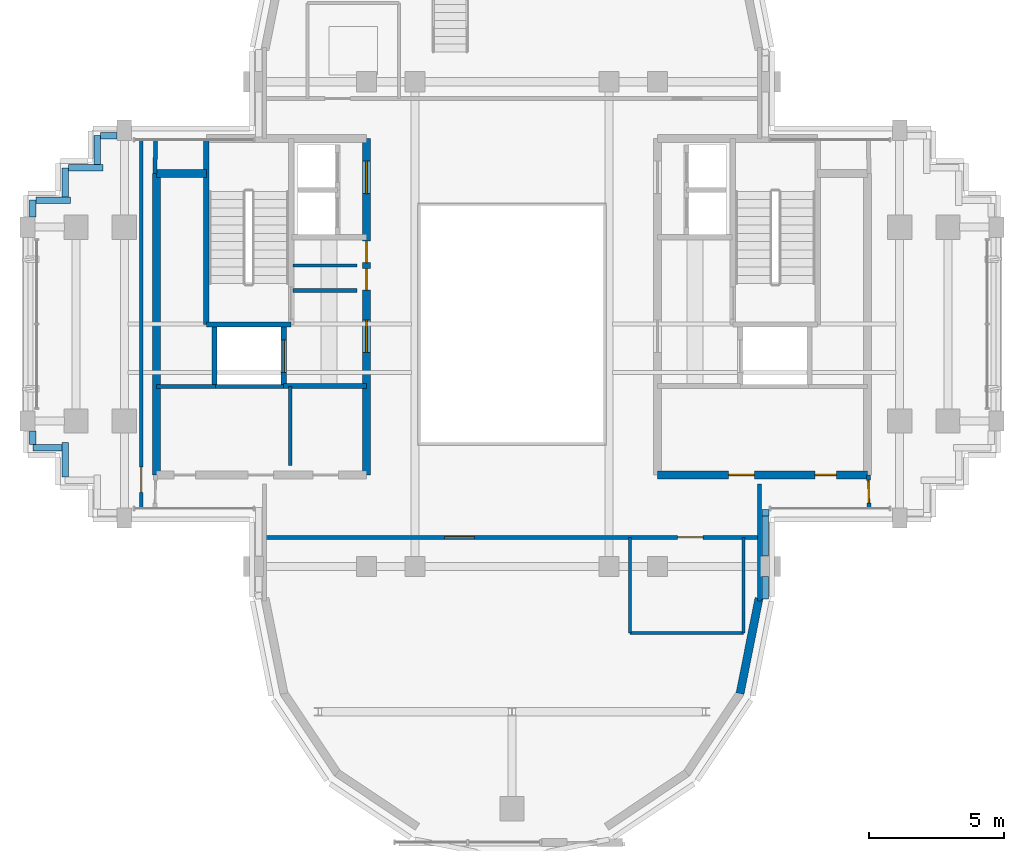
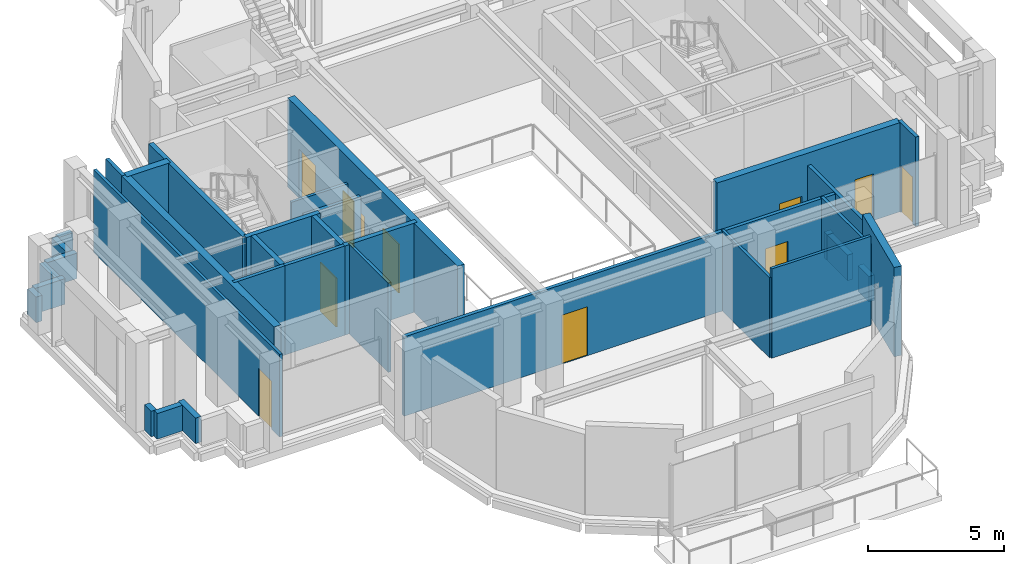
# One storey, part 8 of 14: 35 walls, 11 doors, 11 openings.
"""IFC4 building model written with IfcOpenShell, lengths in metres."""

from ifc_helpers import new_model, si_unit, direction, frame, frame_2d, origin, place, context, subcontext, project, spatial, rectangle, extrude, source, transform, mapped, material, layer, layer_set, type_object, element, fill, save


model = new_model("IFC4")

# Units and contexts
model_context = context("Model", 3, precision=1e-05, world=origin(), true_north=direction((0.0, 1.0)))
body_context = subcontext(model_context, "Body", "Model", "MODEL_VIEW")
ifc_project = project(units=[si_unit("LENGTHUNIT", "METRE"), si_unit("AREAUNIT", "SQUARE_METRE"), si_unit("VOLUMEUNIT", "CUBIC_METRE"), si_unit("PLANEANGLEUNIT", "RADIAN"), si_unit("MASSUNIT", "GRAM", prefix="KILO")], contexts=[model_context])

# Site, building, storey
site_placement = place(None, origin())
site = spatial("IfcSite", under=ifc_project, at=site_placement, CompositionType="ELEMENT")
building_placement = place(site_placement, origin())
building = spatial("IfcBuilding", under=site, at=building_placement, Name="Keilestroom Media Tower", CompositionType="ELEMENT")
storey_placement = place(building_placement, frame((0.0, 0.0, 219.39990234375)))
storey = spatial("IfcBuildingStorey", under=building, at=storey_placement, Name="L60", CompositionType="ELEMENT", Elevation=219.39990234375)

# Walls
ifc_material_1 = material(Name="Precast concrete C40/50", Category="concrete")
ifc_layer_1 = layer(ifc_material_1, 0.300048828125)
ifc_layer_set_1 = layer_set([ifc_layer_1], Name="Precast concrete C40/50")
wall_type_1 = type_object("IfcWallType", Name="Exterior-Masonry-Spandrel-Wall-300", PredefinedType="SOLIDWALL", material=ifc_layer_set_1)
wall_1_placement = place(storey_placement, frame((8.470703125, -13.724609375, 0.0), z_axis=(0.0, 0.0, 1.0), x_axis=(0.195114232679, 0.980780523974, 0.0)))
element("IfcWall", 1, at=wall_1_placement, inside=storey, type_object=wall_type_1, Name="L60 Lobe Facet Precast Frame Wall 12", PredefinedType="SOLIDWALL", context=body_context, shape_type="SweptSolid", body=[
    extrude(rectangle(XDim=3.608642578125, YDim=0.300048828125, at=frame_2d((1.80419921875, 0.0))), origin(), (0.0, 0.0, 1.0), 4.010009765625),
])
ifc_material_2 = material(Name="Gypsum Plasterboard & Steel Stud", Category="steel")
ifc_layer_2 = layer(ifc_material_2, 0.1201171875)
ifc_layer_set_2 = layer_set([ifc_layer_2], Name="Gypsum Plasterboard & Steel Stud")
wall_type_2 = type_object("IfcWallType", Name="Interior-Partition-Wall-120", PredefinedType="PARTITIONING", material=ifc_layer_set_2)
wall_2_placement = place(storey_placement, frame((-8.139892578125, 2.179931640625, 0.0), z_axis=(0.0, 0.0, 1.0), x_axis=(1.0, 0.0, 0.0)))
element("IfcWall", 2, at=wall_2_placement, inside=storey, type_object=wall_type_2, Name="L60 Interior Wall WP-L60-CNW-N", PredefinedType="PARTITIONING", context=body_context, shape_type="SweptSolid", body=[
    extrude(rectangle(XDim=2.389892578125, YDim=0.1201171875, at=frame_2d((1.19482421875, 0.0))), origin(), (0.0, 0.0, 1.0), 3.110107421875),
])
wall_3_placement = place(storey_placement, frame((-8.239990234375, -5.260009765625, 0.0), z_axis=(0.0, 0.0, 1.0), x_axis=(0.0, 1.0, 0.0)))
element("IfcWall", 3, at=wall_3_placement, inside=storey, type_object=wall_type_2, Name="L60 Interior Wall WP-L60-RECMW-M", PredefinedType="PARTITIONING", context=body_context, shape_type="SweptSolid", body=[
    extrude(rectangle(XDim=2.93994140625, YDim=0.1201171875, at=frame_2d((1.469970703125, 0.0))), origin(), (0.0, 0.0, 1.0), 4.010009765625),
])
wall_4_placement = place(storey_placement, frame((4.3798828125, -11.469970703125, 0.0), z_axis=(0.0, 0.0, 1.0), x_axis=(1.0, 0.0, 0.0)))
element("IfcWall", 4, at=wall_4_placement, inside=storey, type_object=wall_type_2, Name="L60 Interior Wall WP-L60-SL-WC-S", PredefinedType="PARTITIONING", context=body_context, shape_type="SweptSolid", body=[
    extrude(rectangle(XDim=4.22021484375, YDim=0.1201171875, at=frame_2d((2.110107421875, 0.0))), origin(), (0.0, 0.0, 1.0), 4.010009765625),
])
for number, where, z_axis, x_axis, name in (
    (5, (4.3798828125, -11.469970703125, 0.0), (0.0, 0.0, 1.0), (0.0, 1.0, 0.0), "L60 Interior Wall WP-L60-SL-WC-W"),
    (6, (8.60009765625, -11.469970703125, 0.0), (0.0, 0.0, 1.0), (0.0, 1.0, 0.0), "L60 Interior Wall WP-L60-SL-WC-E"),
):
    element("IfcWall", number, at=place(storey_placement, frame(where, z_axis=z_axis, x_axis=x_axis)), inside=storey, type_object=wall_type_2, Name=name, PredefinedType="PARTITIONING", context=body_context, shape_type="SweptSolid", body=[
        extrude(rectangle(XDim=3.550048828125, YDim=0.1201171875, at=frame_2d((1.77490234375, 0.0))), origin(), (0.0, 0.0, 1.0), 3.610107421875),
    ])

# Wall, opening, door
wall_5_placement = place(storey_placement, frame((-13.77001953125, -6.85009765625, 0.0), z_axis=(0.0, 0.0, 1.0), x_axis=(0.0, 1.0, 0.0)))
wall_5 = element("IfcWall", 7, at=wall_5_placement, inside=storey, type_object=wall_type_2, Name="L60 Interior Wall WP-L60-WA-CE", PredefinedType="PARTITIONING", context=body_context, shape_type="SweptSolid", body=[
    extrude(rectangle(XDim=13.7001953125, YDim=0.1201171875, at=frame_2d((6.85009765625, 0.0))), origin(), (0.0, 0.0, 1.0), 3.710205078125),
])
opening_1_placement = place(wall_5_placement, frame((0.60009765625, 0.0, 0.0)))
opening_1 = element("IfcOpeningElement", 8, at=opening_1_placement, cuts=wall_5, Name="Opening DI-03", PredefinedType="OPENING", context=body_context, shape_type="SweptSolid", body=[
    extrude(rectangle(XDim=0.949951171875, YDim=2.14990234375, at=frame_2d((0.47509765625, 1.074951171875))), frame((0.0, 0.070068359375, 0.0), z_axis=(0.0, -1.0, 0.0), x_axis=(1.0, 0.0, 0.0)), (0.0, 0.0, 1.0), 0.14013671875),
])
ifc_material_3 = material(Name="Lacquered European Oak Leaf", Category="wood")
door_type_1 = type_object("IfcDoorType", Name="Interior-Room-And-Suite-Door-DI-03", OperationType="NOTDEFINED", PredefinedType="DOOR", material=ifc_material_3)
shared_shape_1 = source(origin(), body_context, "Body", "SweptSolid", [
    extrude(rectangle(XDim=0.949951171875, YDim=2.14990234375, at=frame_2d((0.47509765625, 1.074951171875))), frame((0.0, 0.02490234375, 0.0), z_axis=(0.0, -1.0, 0.0), x_axis=(1.0, 0.0, 0.0)), (0.0, 0.0, 1.0), 0.050048828125),
])
door_1_placement = place(opening_1_placement, origin())
door_1 = element("IfcDoor", 9, at=door_1_placement, inside=storey, type_object=door_type_1, Name="L60 Interior Door DI-L60-DWA-END", OperationType="SINGLE_SWING_LEFT", OverallHeight=2.14990234375, OverallWidth=0.949951171875, PredefinedType="DOOR", context=body_context, shape_type="MappedRepresentation", body=[
    mapped(shared_shape_1, transform((0.0, 0.0, 0.0), x_axis=(1.0, 0.0, 0.0), y_axis=(0.0, 1.0, 0.0), z_axis=(0.0, 0.0, 1.0), scale=1.0)),
])
fill(opening_1, door_1)

# Walls
ifc_layer_3 = layer(ifc_material_2, 0.14990234375)
ifc_layer_set_3 = layer_set([ifc_layer_3], Name="Gypsum Plasterboard & Steel Stud")
wall_type_3 = type_object("IfcWallType", Name="Interior-Partition-Wall-150", PredefinedType="PARTITIONING", material=ifc_layer_set_3)
wall_6_placement = place(storey_placement, frame((-8.139892578125, 1.239990234375, 0.0), z_axis=(0.0, 0.0, 1.0), x_axis=(1.0, 0.0, 0.0)))
element("IfcWall", 10, at=wall_6_placement, inside=storey, type_object=wall_type_3, Name="L60 Interior Wall WP-L60-FFW-TOP", PredefinedType="PARTITIONING", context=body_context, shape_type="SweptSolid", body=[
    extrude(rectangle(XDim=2.389892578125, YDim=0.14990234375, at=frame_2d((1.19482421875, 0.0))), origin(), (0.0, 0.0, 1.0), 3.110107421875),
])
wall_7_placement = place(storey_placement, frame((-13.199951171875, -2.320068359375, 0.0), z_axis=(0.0, 0.0, 1.0), x_axis=(1.0, 0.0, 0.0)))
element("IfcWall", 11, at=wall_7_placement, inside=storey, type_object=wall_type_3, Name="L60 Interior Wall WP-L60-RECLW-N", PredefinedType="PARTITIONING", context=body_context, shape_type="SweptSolid", body=[
    extrude(rectangle(XDim=2.179931640625, YDim=0.14990234375, at=frame_2d((1.08984375, 0.0))), origin(), (0.0, 0.0, 1.0), 4.010009765625),
])
wall_8_placement = place(storey_placement, frame((-11.0400390625, -2.320068359375, 0.0), z_axis=(0.0, 0.0, 1.0), x_axis=(1.0, 0.0, 0.0)))
element("IfcWall", 12, at=wall_8_placement, inside=storey, type_object=wall_type_3, Name="L60 Interior Wall WP-L60-RECMW-N", PredefinedType="PARTITIONING", context=body_context, shape_type="SweptSolid", body=[
    extrude(rectangle(XDim=2.56005859375, YDim=0.14990234375, at=frame_2d((1.280029296875, 0.0))), origin(), (0.0, 0.0, 1.0), 4.010009765625),
])

# Wall, openings, doors
wall_9_placement = place(storey_placement, frame((-9.199951171875, -7.919921875, 0.0), z_axis=(0.0, 0.0, 1.0), x_axis=(1.0, 0.0, 0.0)))
wall_9 = element("IfcWall", 13, at=wall_9_placement, inside=storey, type_object=wall_type_3, Name="L60 Interior Wall WP-L60-SL-BASE", PredefinedType="PARTITIONING", context=body_context, shape_type="SweptSolid", body=[
    extrude(rectangle(XDim=18.39990234375, YDim=0.14990234375, at=frame_2d((9.199951171875, 0.0))), origin(), (0.0, 0.0, 1.0), 3.570068359375),
])
opening_2_placement = place(wall_9_placement, frame((15.35009765625, 0.0, 0.0)))
opening_2 = element("IfcOpeningElement", 14, at=opening_2_placement, cuts=wall_9, Name="Opening DI-03", PredefinedType="OPENING", context=body_context, shape_type="SweptSolid", body=[
    extrude(rectangle(XDim=0.949951171875, YDim=2.14990234375, at=frame_2d((0.47509765625, 1.074951171875))), frame((0.0, 0.0849609375, 0.0), z_axis=(0.0, -1.0, 0.0), x_axis=(1.0, 0.0, 0.0)), (0.0, 0.0, 1.0), 0.169921875),
])
opening_3_placement = place(wall_9_placement, frame((6.699951171875, 0.0, 0.0)))
opening_3 = element("IfcOpeningElement", 15, at=opening_3_placement, cuts=wall_9, Name="Opening DI-04", PredefinedType="OPENING", context=body_context, shape_type="SweptSolid", body=[
    extrude(rectangle(XDim=1.10009765625, YDim=2.199951171875, at=frame_2d((0.550048828125, 1.10009765625))), frame((0.0, 0.0849609375, 0.0), z_axis=(0.0, -1.0, 0.0), x_axis=(1.0, 0.0, 0.0)), (0.0, 0.0, 1.0), 0.169921875),
])
door_2_placement = place(opening_2_placement, origin())
door_2 = element("IfcDoor", 16, at=door_2_placement, inside=storey, type_object=door_type_1, Name="L60 Interior Door DI-L60-DSL-WC", OperationType="SINGLE_SWING_RIGHT", OverallHeight=2.14990234375, OverallWidth=0.949951171875, PredefinedType="DOOR", context=body_context, shape_type="MappedRepresentation", body=[
    mapped(shared_shape_1, transform((0.0, 0.0, 0.0), x_axis=(1.0, 0.0, 0.0), y_axis=(0.0, 1.0, 0.0), z_axis=(0.0, 0.0, 1.0), scale=1.0)),
])
fill(opening_2, door_2)
ifc_material_4 = material(Name="Acoustic Glazed Aluminium Leaf", Category="aluminium")
door_type_2 = type_object("IfcDoorType", Name="Interior-Room-And-Suite-Door-DI-04", OperationType="NOTDEFINED", PredefinedType="DOOR", material=ifc_material_4)
shared_shape_2 = source(origin(), body_context, "Body", "SweptSolid", [
    extrude(rectangle(XDim=1.10009765625, YDim=2.199951171875, at=frame_2d((0.550048828125, 1.10009765625))), frame((0.0, 0.02490234375, 0.0), z_axis=(0.0, -1.0, 0.0), x_axis=(1.0, 0.0, 0.0)), (0.0, 0.0, 1.0), 0.050048828125),
])
door_3_placement = place(opening_3_placement, origin())
door_3 = element("IfcDoor", 17, at=door_3_placement, inside=storey, type_object=door_type_2, Name="L60 Interior Door DI-L60-DSL-MAIN", OperationType="SINGLE_SWING_LEFT", OverallHeight=2.199951171875, OverallWidth=1.10009765625, PredefinedType="DOOR", context=body_context, shape_type="MappedRepresentation", body=[
    mapped(shared_shape_2, transform((0.0, 0.0, 0.0), x_axis=(1.0, 0.0, 0.0), y_axis=(0.0, 1.0, 0.0), z_axis=(0.0, 0.0, 1.0), scale=1.0)),
])
fill(opening_3, door_3)

# Walls
wall_10_placement = place(storey_placement, frame((9.199951171875, -10.280029296875, 0.0), z_axis=(0.0, 0.0, 1.0), x_axis=(0.0, 1.0, 0.0)))
element("IfcWall", 18, at=wall_10_placement, inside=storey, type_object=wall_type_3, Name="L60 Interior Wall WP-L60-SL-CHKE", PredefinedType="PARTITIONING", context=body_context, shape_type="SweptSolid", body=[
    extrude(rectangle(XDim=4.340087890625, YDim=0.14990234375, at=frame_2d((2.169921875, 0.0))), origin(), (0.0, 0.0, 1.0), 3.610107421875),
])
wall_11_placement = place(storey_placement, frame((-13.260009765625, 5.60009765625, 0.0), z_axis=(0.0, 0.0, 1.0), x_axis=(0.016013571389, 0.999871774545, 0.0)))
element("IfcWall", 19, at=wall_11_placement, inside=storey, type_object=wall_type_3, Name="L60 Interior Wall WP-L60-WA-ENTN", PredefinedType="PARTITIONING", context=body_context, shape_type="SweptSolid", body=[
    extrude(rectangle(XDim=1.250244140625, YDim=0.14990234375, at=frame_2d((0.625, 0.0))), origin(), (0.0, 0.0, 1.0), 4.010009765625),
])

# Wall, opening, door
wall_12_placement = place(storey_placement, frame((13.260009765625, -6.85009765625, 0.0), z_axis=(0.0, 0.0, 1.0), x_axis=(-0.016013571389, 0.999871774545, 0.0)))
wall_12 = element("IfcWall", 20, at=wall_12_placement, inside=storey, type_object=wall_type_3, Name="L60 Interior Wall WP-L60-EA-ENTS", PredefinedType="PARTITIONING", context=body_context, shape_type="SweptSolid", body=[
    extrude(rectangle(XDim=1.250244140625, YDim=0.14990234375, at=frame_2d((0.625, 0.0))), origin(), (0.0, 0.0, 1.0), 4.010009765625),
])
opening_4_placement = place(wall_12_placement, frame((0.199951171875, 0.0, 0.0)))
opening_4 = element("IfcOpeningElement", 21, at=opening_4_placement, cuts=wall_12, Name="Opening DI-05", PredefinedType="OPENING", context=body_context, shape_type="SweptSolid", body=[
    extrude(rectangle(XDim=0.85009765625, YDim=2.10009765625, at=frame_2d((0.425048828125, 1.050048828125))), frame((0.0, 0.0849609375, 0.0), z_axis=(0.0, -1.0, 0.0), x_axis=(1.0, 0.0, 0.0)), (0.0, 0.0, 1.0), 0.169921875),
])
ifc_material_5 = material(Name="Moisture-Resistant Oak Leaf", Category="wood")
door_type_3 = type_object("IfcDoorType", Name="Interior-En-Suite-And-Cupboard-Door-DI-05", OperationType="NOTDEFINED", PredefinedType="DOOR", material=ifc_material_5)
shared_shape_3 = source(origin(), body_context, "Body", "SweptSolid", [
    extrude(rectangle(XDim=0.85009765625, YDim=2.10009765625, at=frame_2d((0.425048828125, 1.050048828125))), frame((0.0, 0.02490234375, 0.0), z_axis=(0.0, -1.0, 0.0), x_axis=(1.0, 0.0, 0.0)), (0.0, 0.0, 1.0), 0.050048828125),
])
door_4_placement = place(opening_4_placement, origin())
door_4 = element("IfcDoor", 22, at=door_4_placement, inside=storey, type_object=door_type_3, Name="L60 Interior Door DI-L60-DEA-S", OperationType="SINGLE_SWING_LEFT", OverallHeight=2.10009765625, OverallWidth=0.85009765625, PredefinedType="DOOR", context=body_context, shape_type="MappedRepresentation", body=[
    mapped(shared_shape_3, transform((0.0, 0.0, 0.0), x_axis=(1.0, 0.0, 0.0), y_axis=(0.0, 1.0, 0.0), z_axis=(0.0, 0.0, 1.0), scale=1.0)),
])
fill(opening_4, door_4)

# Wall
ifc_material_6 = material(Name="Concrete C50/60", Category="concrete")
ifc_layer_4 = layer(ifc_material_6, 0.300048828125)
ifc_layer_set_4 = layer_set([ifc_layer_4], Name="Concrete C50/60")
wall_type_4 = type_object("IfcWallType", Name="Reinforced-Concrete-Core-Shear-Wall-300", PredefinedType="SHEAR", material=ifc_layer_set_4)
wall_13_placement = place(storey_placement, frame((-13.199951171875, -5.60009765625, 0.0), z_axis=(0.0, 0.0, 1.0), x_axis=(0.0, 1.0, 0.0)))
element("IfcWall", 23, at=wall_13_placement, inside=storey, type_object=wall_type_4, Name="L60 Core Shear Wall WL-L60-CORE-W-OUT", PredefinedType="SHEAR", context=body_context, shape_type="SweptSolid", body=[
    extrude(rectangle(XDim=11.2001953125, YDim=0.300048828125, at=frame_2d((5.60009765625, 0.0))), origin(), (0.0, 0.0, 1.0), 4.010009765625),
])

# Wall, openings, doors
wall_14_placement = place(storey_placement, frame((-5.39990234375, -5.60009765625, 0.0), z_axis=(0.0, 0.0, 1.0), x_axis=(0.0, 1.0, 0.0)))
wall_14 = element("IfcWall", 24, at=wall_14_placement, inside=storey, type_object=wall_type_4, Name="L60 Core Shear Wall WL-L60-CORE-W-IN", PredefinedType="SHEAR", context=body_context, shape_type="SweptSolid", body=[
    extrude(rectangle(XDim=12.5, YDim=0.300048828125, at=frame_2d((6.25, 0.0))), origin(), (0.0, 0.0, 1.0), 4.010009765625),
])
opening_5_placement = place(wall_14_placement, frame((4.550048828125, 0.0, 0.0)))
opening_5 = element("IfcOpeningElement", 25, at=opening_5_placement, cuts=wall_14, Name="Opening DI-02", PredefinedType="OPENING", context=body_context, shape_type="SweptSolid", body=[
    extrude(rectangle(XDim=1.199951171875, YDim=2.199951171875, at=frame_2d((0.60009765625, 1.10009765625))), frame((0.0, 0.16015625, 0.0), z_axis=(0.0, -1.0, 0.0), x_axis=(1.0, 0.0, 0.0)), (0.0, 0.0, 1.0), 0.320068359375),
])
opening_6_placement = place(wall_14_placement, frame((10.449951171875, 0.0, 0.0)))
opening_6 = element("IfcOpeningElement", 26, at=opening_6_placement, cuts=wall_14, Name="Opening DI-02", PredefinedType="OPENING", context=body_context, shape_type="SweptSolid", body=[
    extrude(rectangle(XDim=1.199951171875, YDim=2.199951171875, at=frame_2d((0.60009765625, 1.10009765625))), frame((0.0, 0.16015625, 0.0), z_axis=(0.0, -1.0, 0.0), x_axis=(1.0, 0.0, 0.0)), (0.0, 0.0, 1.0), 0.320068359375),
])
opening_7_placement = place(wall_14_placement, frame((6.860107421875, 0.0, 0.0)))
opening_7 = element("IfcOpeningElement", 27, at=opening_7_placement, cuts=wall_14, Name="Opening DI-06", PredefinedType="OPENING", context=body_context, shape_type="SweptSolid", body=[
    extrude(rectangle(XDim=0.800048828125, YDim=2.10009765625, at=frame_2d((0.39990234375, 1.050048828125))), frame((0.0, 0.16015625, 0.0), z_axis=(0.0, -1.0, 0.0), x_axis=(1.0, 0.0, 0.0)), (0.0, 0.0, 1.0), 0.320068359375),
])
opening_8_placement = place(wall_14_placement, frame((7.8798828125, 0.0, 0.0)))
opening_8 = element("IfcOpeningElement", 28, at=opening_8_placement, cuts=wall_14, Name="Opening DI-06", PredefinedType="OPENING", context=body_context, shape_type="SweptSolid", body=[
    extrude(rectangle(XDim=0.800048828125, YDim=2.10009765625, at=frame_2d((0.39990234375, 1.050048828125))), frame((0.0, 0.16015625, 0.0), z_axis=(0.0, -1.0, 0.0), x_axis=(1.0, 0.0, 0.0)), (0.0, 0.0, 1.0), 0.320068359375),
])
ifc_material_7 = material(Name="Powder-Coated Steel Fire Leaf", Category="steel")
door_type_4 = type_object("IfcDoorType", Name="Interior-Compartment-Fire-Door-DI-02", OperationType="NOTDEFINED", PredefinedType="DOOR", material=ifc_material_7)
shared_shape_4 = source(origin(), body_context, "Body", "SweptSolid", [
    extrude(rectangle(XDim=1.199951171875, YDim=2.199951171875, at=frame_2d((0.60009765625, 1.10009765625))), frame((0.0, 0.02490234375, 0.0), z_axis=(0.0, -1.0, 0.0), x_axis=(1.0, 0.0, 0.0)), (0.0, 0.0, 1.0), 0.050048828125),
])
door_5_placement = place(opening_5_placement, origin())
door_5 = element("IfcDoor", 29, at=door_5_placement, inside=storey, type_object=door_type_4, Name="L60 W Firefighting Lobby Door", OperationType="SINGLE_SWING_RIGHT", OverallHeight=2.199951171875, OverallWidth=1.199951171875, PredefinedType="DOOR", context=body_context, shape_type="MappedRepresentation", body=[
    mapped(shared_shape_4, transform((0.0, 0.0, 0.0), x_axis=(1.0, 0.0, 0.0), y_axis=(0.0, 1.0, 0.0), z_axis=(0.0, 0.0, 1.0), scale=1.0)),
])
fill(opening_5, door_5)
door_6_placement = place(opening_6_placement, origin())
door_6 = element("IfcDoor", 30, at=door_6_placement, inside=storey, type_object=door_type_4, Name="L60 W High-Rise Lift Lobby Door", OperationType="SINGLE_SWING_LEFT", OverallHeight=2.199951171875, OverallWidth=1.199951171875, PredefinedType="DOOR", context=body_context, shape_type="MappedRepresentation", body=[
    mapped(shared_shape_4, transform((0.0, 0.0, 0.0), x_axis=(1.0, 0.0, 0.0), y_axis=(0.0, 1.0, 0.0), z_axis=(0.0, 0.0, 1.0), scale=1.0)),
])
fill(opening_6, door_6)
ifc_material_8 = material(Name="Powder-Coated Steel Service Leaf", Category="steel")
door_type_5 = type_object("IfcDoorType", Name="Interior-Riser-Access-Door-DI-06", OperationType="NOTDEFINED", PredefinedType="DOOR", material=ifc_material_8)
shared_shape_5 = source(origin(), body_context, "Body", "SweptSolid", [
    extrude(rectangle(XDim=0.800048828125, YDim=2.10009765625, at=frame_2d((0.39990234375, 1.050048828125))), frame((0.0, 0.02490234375, 0.0), z_axis=(0.0, -1.0, 0.0), x_axis=(1.0, 0.0, 0.0)), (0.0, 0.0, 1.0), 0.050048828125),
])
door_7_placement = place(opening_7_placement, origin())
door_7 = element("IfcDoor", 31, at=door_7_placement, inside=storey, type_object=door_type_5, Name="L60 West Core Switchroom Door", OperationType="SINGLE_SWING_LEFT", OverallHeight=2.10009765625, OverallWidth=0.800048828125, PredefinedType="DOOR", context=body_context, shape_type="MappedRepresentation", body=[
    mapped(shared_shape_5, transform((0.0, 0.0, 0.0), x_axis=(1.0, 0.0, 0.0), y_axis=(0.0, 1.0, 0.0), z_axis=(0.0, 0.0, 1.0), scale=1.0)),
])
fill(opening_7, door_7)
door_8_placement = place(opening_8_placement, origin())
door_8 = element("IfcDoor", 32, at=door_8_placement, inside=storey, type_object=door_type_5, Name="L60 West Core Closet Door", OperationType="SINGLE_SWING_LEFT", OverallHeight=2.10009765625, OverallWidth=0.800048828125, PredefinedType="DOOR", context=body_context, shape_type="MappedRepresentation", body=[
    mapped(shared_shape_5, transform((0.0, 0.0, 0.0), x_axis=(1.0, 0.0, 0.0), y_axis=(0.0, 1.0, 0.0), z_axis=(0.0, 0.0, 1.0), scale=1.0)),
])
fill(opening_8, door_8)

# Wall
wall_15_placement = place(storey_placement, frame((-13.199951171875, 5.60009765625, 0.0), z_axis=(0.0, 0.0, 1.0), x_axis=(1.0, 0.0, 0.0)))
element("IfcWall", 33, at=wall_15_placement, inside=storey, type_object=wall_type_4, Name="L60 Core Shear Wall WL-L60-CNW-N", PredefinedType="SHEAR", context=body_context, shape_type="SweptSolid", body=[
    extrude(rectangle(XDim=1.843994140625, YDim=0.300048828125, at=frame_2d((0.921875, 0.0))), origin(), (0.0, 0.0, 1.0), 4.010009765625),
])

# Wall, openings, doors
wall_16_placement = place(storey_placement, frame((5.39990234375, -5.60009765625, 0.0), z_axis=(0.0, 0.0, 1.0), x_axis=(1.0, 0.0, 0.0)))
wall_16 = element("IfcWall", 34, at=wall_16_placement, inside=storey, type_object=wall_type_4, Name="L60 Core Shear Wall WL-L60-CORE-E-S", PredefinedType="SHEAR", context=body_context, shape_type="SweptSolid", body=[
    extrude(rectangle(XDim=7.800048828125, YDim=0.300048828125, at=frame_2d((3.89990234375, 0.0))), origin(), (0.0, 0.0, 1.0), 4.010009765625),
])
opening_9_placement = place(wall_16_placement, frame((5.85009765625, 0.0, 0.0)))
opening_9 = element("IfcOpeningElement", 35, at=opening_9_placement, cuts=wall_16, Name="Opening DI-06", PredefinedType="OPENING", context=body_context, shape_type="SweptSolid", body=[
    extrude(rectangle(XDim=0.800048828125, YDim=2.10009765625, at=frame_2d((0.39990234375, 1.050048828125))), frame((0.0, 0.16015625, 0.0), z_axis=(0.0, -1.0, 0.0), x_axis=(1.0, 0.0, 0.0)), (0.0, 0.0, 1.0), 0.320068359375),
])
opening_10_placement = place(wall_16_placement, frame((2.64990234375, 0.0, 0.0)))
opening_10 = element("IfcOpeningElement", 36, at=opening_10_placement, cuts=wall_16, Name="Opening DI-03", PredefinedType="OPENING", context=body_context, shape_type="SweptSolid", body=[
    extrude(rectangle(XDim=0.949951171875, YDim=2.14990234375, at=frame_2d((0.47509765625, 1.074951171875))), frame((0.0, 0.16015625, 0.0), z_axis=(0.0, -1.0, 0.0), x_axis=(1.0, 0.0, 0.0)), (0.0, 0.0, 1.0), 0.320068359375),
])
door_9_placement = place(opening_9_placement, origin())
door_9 = element("IfcDoor", 37, at=door_9_placement, inside=storey, type_object=door_type_5, Name="L60 Reclaimed East Core Room Door", OperationType="SINGLE_SWING_RIGHT", OverallHeight=2.10009765625, OverallWidth=0.800048828125, PredefinedType="DOOR", context=body_context, shape_type="MappedRepresentation", body=[
    mapped(shared_shape_5, transform((0.0, 0.0, 0.0), x_axis=(1.0, 0.0, 0.0), y_axis=(0.0, 1.0, 0.0), z_axis=(0.0, 0.0, 1.0), scale=1.0)),
])
fill(opening_9, door_9)
door_10_placement = place(opening_10_placement, origin())
door_10 = element("IfcDoor", 38, at=door_10_placement, inside=storey, type_object=door_type_1, Name="L60 Reclaimed Mid East Room Door", OperationType="SINGLE_SWING_RIGHT", OverallHeight=2.14990234375, OverallWidth=0.949951171875, PredefinedType="DOOR", context=body_context, shape_type="MappedRepresentation", body=[
    mapped(shared_shape_1, transform((0.0, 0.0, 0.0), x_axis=(1.0, 0.0, 0.0), y_axis=(0.0, 1.0, 0.0), z_axis=(0.0, 0.0, 1.0), scale=1.0)),
])
fill(opening_10, door_10)

# Walls
ifc_layer_5 = layer(ifc_material_6, 0.199951171875)
ifc_layer_set_5 = layer_set([ifc_layer_5], Name="Concrete C50/60")
wall_type_5 = type_object("IfcWallType", Name="Reinforced-Concrete-Shaft-Wall-200", PredefinedType="SOLIDWALL", material=ifc_layer_set_5)
wall_17_placement = place(storey_placement, frame((-8.47998046875, -2.300048828125, 0.0), z_axis=(0.0, 0.0, 1.0), x_axis=(1.0, 0.0, 0.0)))
element("IfcWall", 39, at=wall_17_placement, inside=storey, type_object=wall_type_5, Name="L60 Core Shear Wall WL-L60-CORE-W-FFS", PredefinedType="SOLIDWALL", context=body_context, shape_type="SweptSolid", body=[
    extrude(rectangle(XDim=3.080078125, YDim=0.199951171875, at=frame_2d((1.5400390625, 0.0))), origin(), (0.0, 0.0, 1.0), 4.010009765625),
])
wall_18_placement = place(storey_placement, frame((-11.35595703125, -0.01611328125, 0.0), z_axis=(0.0, 0.0, 1.0), x_axis=(0.0, 1.0, 0.0)))
element("IfcWall", 40, at=wall_18_placement, inside=storey, type_object=wall_type_5, Name="L60 Core Shear Wall WL-L60-STW-W-FAR", PredefinedType="SOLIDWALL", context=body_context, shape_type="SweptSolid", body=[
    extrude(rectangle(XDim=6.916015625, YDim=0.199951171875, at=frame_2d((3.4580078125, 0.0))), origin(), (0.0, 0.0, 1.0), 4.010009765625),
])
wall_19_placement = place(storey_placement, frame((-11.35595703125, -0.01611328125, 0.0), z_axis=(0.0, 0.0, 1.0), x_axis=(1.0, 0.0, 0.0)))
element("IfcWall", 41, at=wall_19_placement, inside=storey, type_object=wall_type_5, Name="L60 Core Shear Wall WL-L60-STW-W-S", PredefinedType="SOLIDWALL", context=body_context, shape_type="SweptSolid", body=[
    extrude(rectangle(XDim=3.15185546875, YDim=0.199951171875, at=frame_2d((1.575927734375, 0.0))), origin(), (0.0, 0.0, 1.0), 4.010009765625),
])
wall_20_placement = place(storey_placement, frame((-11.050048828125, -2.280029296875, 0.0), z_axis=(0.0, 0.0, 1.0), x_axis=(0.0, 1.0, 0.0)))
element("IfcWall", 42, at=wall_20_placement, inside=storey, type_object=wall_type_5, Name="L60 Core Shear Wall WL-L60-LSH-FFL-1-W", PredefinedType="SOLIDWALL", context=body_context, shape_type="SweptSolid", body=[
    extrude(rectangle(XDim=2.179931640625, YDim=0.199951171875, at=frame_2d((1.08984375, 0.0))), origin(), (0.0, 0.0, 1.0), 4.010009765625),
])

# Wall, opening, door
wall_21_placement = place(storey_placement, frame((-8.47998046875, -2.280029296875, 0.0), z_axis=(0.0, 0.0, 1.0), x_axis=(0.0, 1.0, 0.0)))
wall_21 = element("IfcWall", 43, at=wall_21_placement, inside=storey, type_object=wall_type_5, Name="L60 Core Shear Wall WL-L60-LSH-FFL-1-E", PredefinedType="SOLIDWALL", context=body_context, shape_type="SweptSolid", body=[
    extrude(rectangle(XDim=2.179931640625, YDim=0.199951171875, at=frame_2d((1.08984375, 0.0))), origin(), (0.0, 0.0, 1.0), 4.010009765625),
])
opening_11_placement = place(wall_21_placement, frame((0.489990234375, 0.0, 0.0)))
opening_11 = element("IfcOpeningElement", 44, at=opening_11_placement, cuts=wall_21, Name="Opening LD-02", PredefinedType="OPENING", context=body_context, shape_type="SweptSolid", body=[
    extrude(rectangle(XDim=1.199951171875, YDim=2.199951171875, at=frame_2d((0.60009765625, 1.10009765625))), frame((0.0, 0.10986328125, 0.0), z_axis=(0.0, -1.0, 0.0), x_axis=(1.0, 0.0, 0.0)), (0.0, 0.0, 1.0), 0.219970703125),
])
ifc_material_9 = material(Name="Brushed Stainless Steel Sliding Leaf", Category="steel")
door_type_6 = type_object("IfcDoorType", Name="Lift-Landing-Sliding-Door-LD-02", OperationType="SLIDING_TO_RIGHT", PredefinedType="DOOR", material=ifc_material_9)
door_11_placement = place(opening_11_placement, origin())
door_11 = element("IfcDoor", 45, at=door_11_placement, inside=storey, type_object=door_type_6, Name="L60 Lift FFL-1 Landing Sliding Door", OperationType="SLIDING_TO_RIGHT", OverallHeight=2.199951171875, OverallWidth=1.199951171875, PredefinedType="DOOR", context=body_context, shape_type="MappedRepresentation", body=[
    mapped(shared_shape_4, transform((0.0, 0.0, 0.0), x_axis=(1.0, 0.0, 0.0), y_axis=(0.0, 1.0, 0.0), z_axis=(0.0, 0.0, 1.0), scale=1.0)),
])
fill(opening_11, door_11)

# Walls
ifc_layer_6 = layer(ifc_material_1, 0.239990234375)
ifc_layer_set_6 = layer_set([ifc_layer_6], Name="Precast concrete C40/50")
wall_type_6 = type_object("IfcWallType", Name="Roof-And-Terrace-Parapet-Wall-240", PredefinedType="PARAPET", material=ifc_layer_set_6)
wall_22_placement = place(storey_placement, frame((9.547119140625, -7.0, 0.0), z_axis=(0.0, 0.0, 1.0), x_axis=(-1.0, 0.0, 0.0)))
element("IfcWall", 46, at=wall_22_placement, inside=storey, type_object=wall_type_6, Name="L60 Perimeter Edge Parapet Wall 06", PredefinedType="PARAPET", context=body_context, shape_type="SweptSolid", body=[
    extrude(rectangle(XDim=0.26904296875, YDim=0.239990234375, at=frame_2d((0.134521484375, 0.0))), origin(), (0.0, 0.0, 1.0), 1.150146484375),
])
wall_23_placement = place(storey_placement, frame((9.39990234375, -7.123046875, 0.0), z_axis=(0.0, 0.0, 1.0), x_axis=(0.0, -1.0, 0.0)))
element("IfcWall", 47, at=wall_23_placement, inside=storey, type_object=wall_type_6, Name="L60 Perimeter Edge Parapet Wall 07", PredefinedType="PARAPET", context=body_context, shape_type="SweptSolid", body=[
    extrude(rectangle(XDim=1.4990234375, YDim=0.239990234375, at=frame_2d((0.74951171875, 0.0))), origin(), (0.0, 0.0, 1.0), 1.150146484375),
])
wall_24_placement = place(storey_placement, frame((9.39990234375, -9.3779296875, 0.0), z_axis=(0.0, 0.0, 1.0), x_axis=(0.0, -1.0, 0.0)))
element("IfcWall", 48, at=wall_24_placement, inside=storey, type_object=wall_type_6, Name="L60 Perimeter Edge Parapet Wall 08", PredefinedType="PARAPET", context=body_context, shape_type="SweptSolid", body=[
    extrude(rectangle(XDim=0.824951171875, YDim=0.239990234375, at=frame_2d((0.41259765625, 0.0))), origin(), (0.0, 0.0, 1.0), 1.150146484375),
])
wall_25_placement = place(storey_placement, frame((-16.60009765625, -5.677001953125, 0.0), z_axis=(0.0, 0.0, 1.0), x_axis=(0.0, 1.0, 0.0)))
element("IfcWall", 49, at=wall_25_placement, inside=storey, type_object=wall_type_6, Name="L60 Perimeter Edge Parapet Wall 15", PredefinedType="PARAPET", context=body_context, shape_type="SweptSolid", body=[
    extrude(rectangle(XDim=1.277099609375, YDim=0.239990234375, at=frame_2d((0.638671875, 0.0))), origin(), (0.0, 0.0, 1.0), 1.150146484375),
])
wall_26_placement = place(storey_placement, frame((-16.722900390625, -4.60009765625, 0.0), z_axis=(0.0, 0.0, 1.0), x_axis=(-1.0, 0.0, 0.0)))
element("IfcWall", 50, at=wall_26_placement, inside=storey, type_object=wall_type_6, Name="L60 Perimeter Edge Parapet Wall 16", PredefinedType="PARAPET", context=body_context, shape_type="SweptSolid", body=[
    extrude(rectangle(XDim=1.0771484375, YDim=0.239990234375, at=frame_2d((0.53857421875, 0.0))), origin(), (0.0, 0.0, 1.0), 1.150146484375),
])
wall_27_placement = place(storey_placement, frame((-17.800048828125, -4.47705078125, 0.0), z_axis=(0.0, 0.0, 1.0), x_axis=(0.0, 1.0, 0.0)))
element("IfcWall", 51, at=wall_27_placement, inside=storey, type_object=wall_type_6, Name="L60 Perimeter Edge Parapet Wall 17", PredefinedType="PARAPET", context=body_context, shape_type="SweptSolid", body=[
    extrude(rectangle(XDim=0.4990234375, YDim=0.239990234375, at=frame_2d((0.24951171875, 0.0))), origin(), (0.0, 0.0, 1.0), 1.150146484375),
])
wall_28_placement = place(storey_placement, frame((-17.800048828125, 3.97802734375, 0.0), z_axis=(0.0, 0.0, 1.0), x_axis=(0.0, 1.0, 0.0)))
element("IfcWall", 52, at=wall_28_placement, inside=storey, type_object=wall_type_6, Name="L60 Perimeter Edge Parapet Wall 18", PredefinedType="PARAPET", context=body_context, shape_type="SweptSolid", body=[
    extrude(rectangle(XDim=0.6220703125, YDim=0.239990234375, at=frame_2d((0.31103515625, 0.0))), origin(), (0.0, 0.0, 1.0), 1.150146484375),
])
wall_29_placement = place(storey_placement, frame((-17.677001953125, 4.60009765625, 0.0), z_axis=(0.0, 0.0, 1.0), x_axis=(1.0, 0.0, 0.0)))
element("IfcWall", 53, at=wall_29_placement, inside=storey, type_object=wall_type_6, Name="L60 Perimeter Edge Parapet Wall 19", PredefinedType="PARAPET", context=body_context, shape_type="SweptSolid", body=[
    extrude(rectangle(XDim=1.277099609375, YDim=0.239990234375, at=frame_2d((0.638671875, 0.0))), origin(), (0.0, 0.0, 1.0), 1.150146484375),
])
wall_30_placement = place(storey_placement, frame((-16.60009765625, 4.722900390625, 0.0), z_axis=(0.0, 0.0, 1.0), x_axis=(0.0, 1.0, 0.0)))
element("IfcWall", 54, at=wall_30_placement, inside=storey, type_object=wall_type_6, Name="L60 Perimeter Edge Parapet Wall 20", PredefinedType="PARAPET", context=body_context, shape_type="SweptSolid", body=[
    extrude(rectangle(XDim=1.0771484375, YDim=0.239990234375, at=frame_2d((0.53857421875, 0.0))), origin(), (0.0, 0.0, 1.0), 1.150146484375),
])
wall_31_placement = place(storey_placement, frame((-16.47705078125, 5.800048828125, 0.0), z_axis=(0.0, 0.0, 1.0), x_axis=(1.0, 0.0, 0.0)))
element("IfcWall", 55, at=wall_31_placement, inside=storey, type_object=wall_type_6, Name="L60 Perimeter Edge Parapet Wall 21", PredefinedType="PARAPET", context=body_context, shape_type="SweptSolid", body=[
    extrude(rectangle(XDim=1.277099609375, YDim=0.239990234375, at=frame_2d((0.638671875, 0.0))), origin(), (0.0, 0.0, 1.0), 1.150146484375),
])
wall_32_placement = place(storey_placement, frame((-15.39990234375, 5.923095703125, 0.0), z_axis=(0.0, 0.0, 1.0), x_axis=(0.0, 1.0, 0.0)))
element("IfcWall", 56, at=wall_32_placement, inside=storey, type_object=wall_type_6, Name="L60 Perimeter Edge Parapet Wall 22", PredefinedType="PARAPET", context=body_context, shape_type="SweptSolid", body=[
    extrude(rectangle(XDim=1.076904296875, YDim=0.239990234375, at=frame_2d((0.53857421875, 0.0))), origin(), (0.0, 0.0, 1.0), 1.150146484375),
])
wall_33_placement = place(storey_placement, frame((-15.277099609375, 7.0, 0.0), z_axis=(0.0, 0.0, 1.0), x_axis=(1.0, 0.0, 0.0)))
element("IfcWall", 57, at=wall_33_placement, inside=storey, type_object=wall_type_6, Name="L60 Perimeter Edge Parapet Wall 23", PredefinedType="PARAPET", context=body_context, shape_type="SweptSolid", body=[
    extrude(rectangle(XDim=0.59912109375, YDim=0.239990234375, at=frame_2d((0.299560546875, 0.0))), origin(), (0.0, 0.0, 1.0), 1.150146484375),
])

save(model, "model.ifc")
